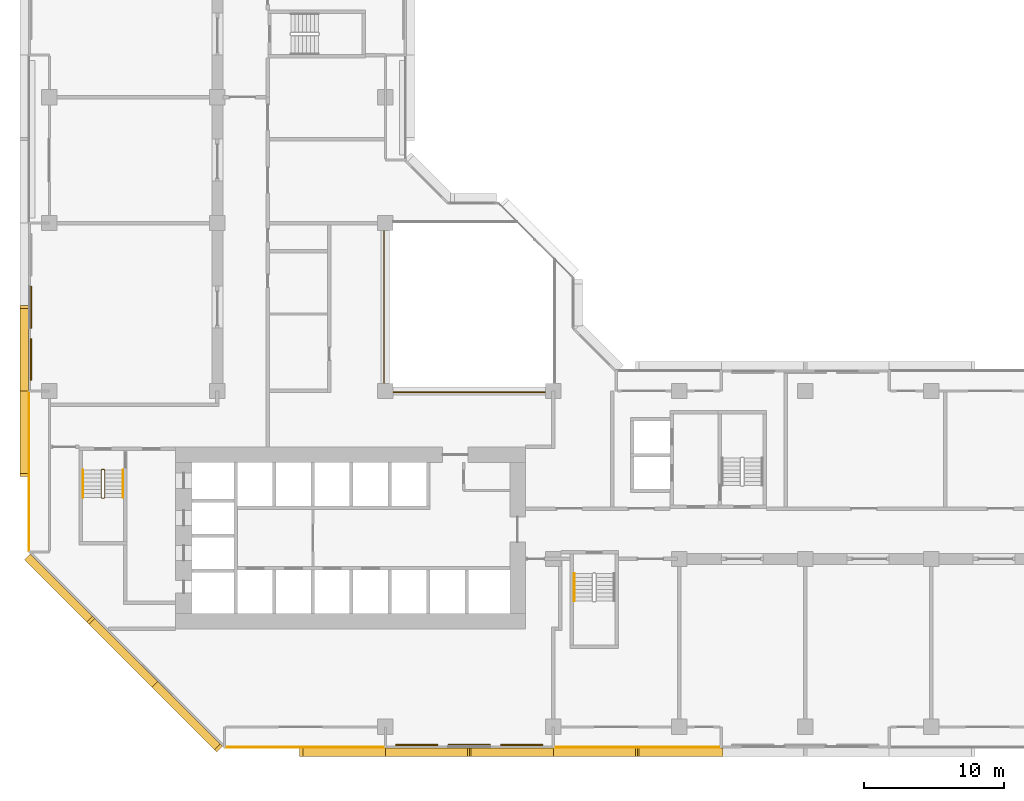
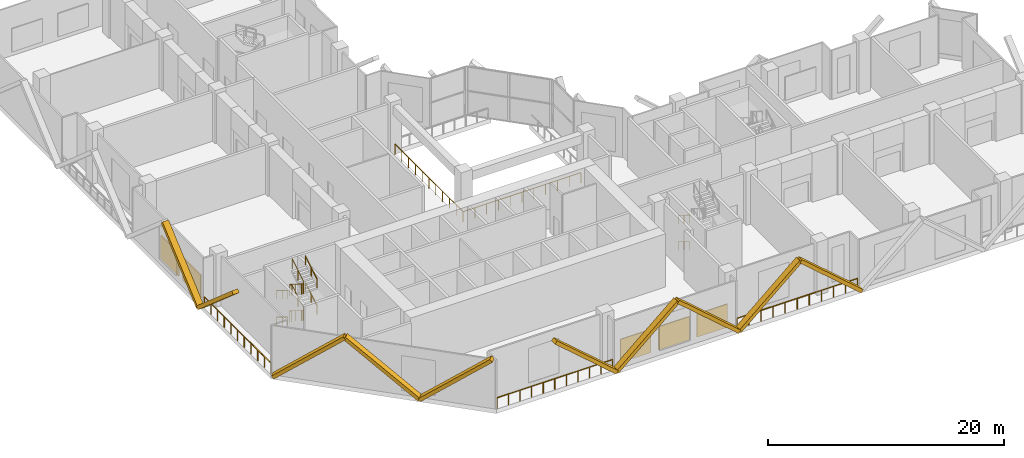
# One storey, part 12 of 14: 11 railings, 10 coverings, 5 shading devices.
"""IFC4 building model written with IfcOpenShell, lengths in metres."""

import ifcopenshell
import ifcopenshell.guid

model = None  # the IFC model being written
_history = None  # IfcOwnerHistory: only IFC2X3 demands one
_inside = {}  # id of a spatial element -> (the spatial element, [elements in it])
_under = {}  # id of a project, library or spatial element -> (it, [spatial elements below it])
_declared = {}  # id of a project -> (the project, [libraries it declares])
_typed = {}  # id of a type object -> (the type object, [elements of that type])
_made_of = {}  # id of a material, layer set ... -> (it, [elements and type objects made of it])


def new_model(schema):
    """Start an empty IFC model of exactly this schema.

    Asked for "IFC4X3", IfcOpenShell would pick the latest addendum, in which some entities
    have other attributes; the version numbers below select the first issue.
    IFC2X3 requires an IfcOwnerHistory on every rooted entity: one is made here for all.
    """
    global model, _history
    if schema == "IFC4X3":
        model = ifcopenshell.file(schema_version=(4, 3, 0, 0))
    else:
        model = ifcopenshell.file(schema=schema)
    _inside.clear()
    _under.clear()
    _declared.clear()
    _typed.clear()
    _made_of.clear()
    _history = None
    if model.schema == "IFC2X3":
        org = make("IfcOrganization", Name="unknown")
        user = make(
            "IfcPersonAndOrganization",
            ThePerson=make("IfcPerson", FamilyName="unknown"),
            TheOrganization=org,
        )
        app = make(
            "IfcApplication",
            ApplicationDeveloper=org,
            Version="unknown",
            ApplicationFullName="unknown",
            ApplicationIdentifier="unknown",
        )
        _history = make(
            "IfcOwnerHistory",
            OwningUser=user,
            OwningApplication=app,
            ChangeAction="ADDED",
            CreationDate=0,
        )
    return model


def make(cls, **values):
    """One entity of the class cls with the attributes given. An attribute that is None is left unset."""
    return model.create_entity(
        cls, **{name: value for name, value in values.items() if value is not None}
    )


def rooted(cls, **values):
    """An entity with a GlobalId (a new one), such as an element, a storey or a relation."""
    return make(cls, GlobalId=ifcopenshell.guid.new(), OwnerHistory=_history, **values)


def si_unit(unit_type, name, prefix=None):
    """IfcSIUnit, for example si_unit("LENGTHUNIT", "METRE", prefix="MILLI")."""
    return make("IfcSIUnit", UnitType=unit_type, Prefix=prefix, Name=name)


def assignment(units):
    """IfcUnitAssignment: the units of a project."""
    return None if units is None else make("IfcUnitAssignment", Units=units)


def point(xyz):
    """IfcCartesianPoint."""
    return None if xyz is None else make("IfcCartesianPoint", Coordinates=xyz)


def direction(xyz):
    """IfcDirection."""
    return None if xyz is None else make("IfcDirection", DirectionRatios=xyz)


def frame(location, z_axis=None, x_axis=None):
    """IfcAxis2Placement3D, a coordinate frame: its origin and axes. An axis left out is left unset."""
    return make(
        "IfcAxis2Placement3D",
        Location=point(location),
        Axis=direction(z_axis),
        RefDirection=direction(x_axis),
    )


def frame_2d(location, x_axis=None):
    """IfcAxis2Placement2D, a coordinate frame in the plane: its origin and x axis."""
    return make(
        "IfcAxis2Placement2D", Location=point(location), RefDirection=direction(x_axis)
    )


def origin():
    """The frame at (0, 0, 0) with its axes left unset."""
    return frame((0.0, 0.0, 0.0))


def origin_2d():
    """The frame at (0, 0) in the plane with its x axis left unset."""
    return frame_2d((0.0, 0.0))


def place(relative_to, where):
    """IfcLocalPlacement: puts the frame where relative to a parent placement (None: the world)."""
    return make(
        "IfcLocalPlacement", PlacementRelTo=relative_to, RelativePlacement=where
    )


def context(
    kind, dimensions, precision=None, world=None, true_north=None, identifier=None
):
    """IfcGeometricRepresentationContext, for example the 3D "Model" context."""
    return make(
        "IfcGeometricRepresentationContext",
        ContextIdentifier=identifier,
        ContextType=kind,
        CoordinateSpaceDimension=dimensions,
        Precision=precision,
        WorldCoordinateSystem=world,
        TrueNorth=true_north,
    )


def subcontext(parent, identifier, kind, view, scale=None):
    """IfcGeometricRepresentationSubContext, for example "Body" below "Model"."""
    return make(
        "IfcGeometricRepresentationSubContext",
        ContextIdentifier=identifier,
        ContextType=kind,
        ParentContext=parent,
        TargetScale=scale,
        TargetView=view,
    )


def project(units=None, contexts=None):
    """IfcProject with its units and contexts."""
    return rooted(
        "IfcProject",
        Name="project",
        RepresentationContexts=contexts,
        UnitsInContext=assignment(units),
    )


def spatial(cls, under=None, at=None, **own):
    """A site, building, storey or space (cls), placed at a placement, below another one or the project."""
    s = rooted(cls, ObjectPlacement=at, **own)
    if under is not None:
        _under.setdefault(under.id(), (under, []))[1].append(s)
    return s


def profile(cls, at=None, kind="AREA", **sizes):
    """A parametric profile (cls). Its sizes go by their IFC names, for example OverallWidth=200.0."""
    return make(cls, ProfileType=kind, Position=at, **sizes)


def rectangle(**sizes):
    """IfcRectangleProfileDef."""
    return profile("IfcRectangleProfileDef", **sizes)


def extrude(swept, where, along, depth):
    """IfcExtrudedAreaSolid: the profile swept, set in the frame where, extruded along a direction by depth."""
    return make(
        "IfcExtrudedAreaSolid",
        SweptArea=swept,
        Position=where,
        ExtrudedDirection=direction(along),
        Depth=depth,
    )


def shape(context_of_items, identifier, shape_type, items):
    """IfcShapeRepresentation: the items that make up one representation, for example the "Body"."""
    return make(
        "IfcShapeRepresentation",
        ContextOfItems=context_of_items,
        RepresentationIdentifier=identifier,
        RepresentationType=shape_type,
        Items=items,
    )


def material(Name=None, Category=None):
    """IfcMaterial."""
    return make("IfcMaterial", Name=Name, Category=Category)


def material_profile(
    of_material, cross_section, Name=None, Category=None, Priority=None
):
    """IfcMaterialProfile: a cross section and its material."""
    return make(
        "IfcMaterialProfile",
        Name=Name,
        Material=of_material,
        Profile=cross_section,
        Priority=Priority,
        Category=Category,
    )


def profile_set(profiles, Name=None, composite=None):
    """IfcMaterialProfileSet."""
    return make(
        "IfcMaterialProfileSet",
        Name=Name,
        MaterialProfiles=profiles,
        CompositeProfile=composite,
    )


def made_of(thing, what):
    """Note that an element or type object is made of a material, layer set ...; save() writes the relation."""
    if what is not None:
        _made_of.setdefault(what.id(), (what, []))[1].append(thing)
    return thing


def type_object(cls, material=None, **own):
    """A type object (cls), such as IfcWallType, which elements share."""
    return made_of(rooted(cls, **own), material)


def element(
    cls,
    number,
    at=None,
    inside=None,
    cuts=None,
    type_object=None,
    material=None,
    context=None,
    identifier="Body",
    shape_type=None,
    held_by="IfcProductDefinitionShape",
    body=None,
    shapes=None,
    **own,
):
    """One element of the class cls, such as IfcWall. Its Tag is "e" and its number.

    at: its placement. inside: the storey or other place that contains it. cuts: it is an
    opening in that element (IfcRelVoidsElement). A single representation is given by context,
    identifier, shape_type and body (its items); several are given by shapes. held_by: the class
    of the entity that holds the representations. save() writes the other relations.
    """
    e = rooted(cls, Tag="e%d" % number, ObjectPlacement=at, **own)
    if body is not None:
        shapes = [shape(context, identifier, shape_type, body)]
    if shapes is not None:
        e.Representation = make(held_by, Representations=shapes)
    if inside is not None:
        _inside.setdefault(inside.id(), (inside, []))[1].append(e)
    if cuts is not None:
        rooted(
            "IfcRelVoidsElement", RelatingBuildingElement=cuts, RelatedOpeningElement=e
        )
    if type_object is not None:
        _typed.setdefault(type_object.id(), (type_object, []))[1].append(e)
    return made_of(e, material)


def aggregate(whole, parts):
    """IfcRelAggregates: a whole, such as a stair, and the parts it consists of."""
    return rooted("IfcRelAggregates", RelatingObject=whole, RelatedObjects=parts)


def save(model, path):
    """Write the relations noted so far, then the file.

    IfcRelAggregates (storeys below a building ...), IfcRelContainedInSpatialStructure (elements
    in a storey), IfcRelDefinesByType, IfcRelAssociatesMaterial and IfcRelDeclares: one each for
    every whole, place, type object, material and project.
    """
    for whole, parts in _under.values():
        aggregate(whole, parts)
    for where, things in _inside.values():
        rooted(
            "IfcRelContainedInSpatialStructure",
            RelatedElements=things,
            RelatingStructure=where,
        )
    for kind, things in _typed.values():
        rooted("IfcRelDefinesByType", RelatedObjects=things, RelatingType=kind)
    for what, things in _made_of.values():
        rooted("IfcRelAssociatesMaterial", RelatedObjects=things, RelatingMaterial=what)
    for by, libraries in _declared.values():
        rooted("IfcRelDeclares", RelatingContext=by, RelatedDefinitions=libraries)
    model.write(path)


model = new_model("IFC4")

# Units and contexts
model_context = context("Model", 3, precision=1e-05, world=origin(), true_north=direction((0.0, 1.0)))
body_context = subcontext(model_context, "Body", "Model", "MODEL_VIEW")
ifc_project = project(units=[si_unit("LENGTHUNIT", "METRE"), si_unit("AREAUNIT", "SQUARE_METRE"), si_unit("VOLUMEUNIT", "CUBIC_METRE"), si_unit("PLANEANGLEUNIT", "RADIAN"), si_unit("MASSUNIT", "GRAM", prefix="KILO")], contexts=[model_context])

# Site, building, storey
site_placement = place(None, origin())
site = spatial("IfcSite", under=ifc_project, at=site_placement, CompositionType="ELEMENT")
building_placement = place(site_placement, origin())
building = spatial("IfcBuilding", under=site, at=building_placement, Name="Chenar Terraces", CompositionType="ELEMENT")
storey_placement = place(building_placement, frame((0.0, 0.0, 86.39990234375)))
storey = spatial("IfcBuildingStorey", under=building, at=storey_placement, Name="L19", CompositionType="ELEMENT", Elevation=86.39990234375)

# Railings
ifc_material_1 = material(Name="Powder-coated steel", Category="steel")
railing_type_1 = type_object("IfcRailingType", Name="Guard 1100 steel rail with glass infill", PredefinedType="GUARDRAIL", material=ifc_material_1)
railing_1_placement = place(storey_placement, frame((23.89990234375, 35.449951171875, 0.0)))
element("IfcRailing", 1, at=railing_1_placement, inside=storey, type_object=railing_type_1, Name="Guard L19-1", PredefinedType="GUARDRAIL", context=body_context, shape_type="SweptSolid", body=[
    extrude(rectangle(XDim=0.06005859375, YDim=0.06005859375, at=origin_2d()), frame((0.0, 0.0, 1.070068359375), z_axis=(0.0, -1.0, 0.0), x_axis=(1.0, 0.0, 0.0)), (0.0, 0.0, 1.0), 11.550048828125),
    extrude(rectangle(XDim=0.06005859375, YDim=0.06005859375, at=origin_2d()), frame((0.0, -11.550048828125, 1.070068359375), z_axis=(1.0, 0.0, 0.0), x_axis=(0.0, 1.0, 0.0)), (0.0, 0.0, 1.0), 11.550048828125),
    extrude(rectangle(XDim=0.050048828125, YDim=0.050048828125, at=origin_2d()), origin(), (0.0, 0.0, 1.0), 1.0400390625),
    extrude(rectangle(XDim=0.050048828125, YDim=0.050048828125, at=origin_2d()), frame((0.0, -1.155029296875, 0.0)), (0.0, 0.0, 1.0), 1.0400390625),
    extrude(rectangle(XDim=0.050048828125, YDim=0.050048828125, at=origin_2d()), frame((0.0, -2.31005859375, 0.0)), (0.0, 0.0, 1.0), 1.0400390625),
    extrude(rectangle(XDim=0.050048828125, YDim=0.050048828125, at=origin_2d()), frame((0.0, -3.465087890625, 0.0)), (0.0, 0.0, 1.0), 1.0400390625),
    extrude(rectangle(XDim=0.050048828125, YDim=0.050048828125, at=origin_2d()), frame((0.0, -4.6201171875, 0.0)), (0.0, 0.0, 1.0), 1.0400390625),
    extrude(rectangle(XDim=0.050048828125, YDim=0.050048828125, at=origin_2d()), frame((0.0, -5.77490234375, 0.0)), (0.0, 0.0, 1.0), 1.0400390625),
    extrude(rectangle(XDim=0.050048828125, YDim=0.050048828125, at=origin_2d()), frame((0.0, -6.929931640625, 0.0)), (0.0, 0.0, 1.0), 1.0400390625),
    extrude(rectangle(XDim=0.050048828125, YDim=0.050048828125, at=origin_2d()), frame((0.0, -8.0849609375, 0.0)), (0.0, 0.0, 1.0), 1.0400390625),
    extrude(rectangle(XDim=0.050048828125, YDim=0.050048828125, at=origin_2d()), frame((0.0, -9.239990234375, 0.0)), (0.0, 0.0, 1.0), 1.0400390625),
    extrude(rectangle(XDim=0.050048828125, YDim=0.050048828125, at=origin_2d()), frame((0.0, -10.39501953125, 0.0)), (0.0, 0.0, 1.0), 1.0400390625),
    extrude(rectangle(XDim=0.050048828125, YDim=0.050048828125, at=origin_2d()), frame((0.0, -11.550048828125, 0.0)), (0.0, 0.0, 1.0), 1.0400390625),
    extrude(rectangle(XDim=0.050048828125, YDim=0.050048828125, at=origin_2d()), frame((1.155029296875, -11.550048828125, 0.0)), (0.0, 0.0, 1.0), 1.0400390625),
    extrude(rectangle(XDim=0.050048828125, YDim=0.050048828125, at=origin_2d()), frame((2.31005859375, -11.550048828125, 0.0)), (0.0, 0.0, 1.0), 1.0400390625),
    extrude(rectangle(XDim=0.050048828125, YDim=0.050048828125, at=origin_2d()), frame((3.465087890625, -11.550048828125, 0.0)), (0.0, 0.0, 1.0), 1.0400390625),
    extrude(rectangle(XDim=0.050048828125, YDim=0.050048828125, at=origin_2d()), frame((4.6201171875, -11.550048828125, 0.0)), (0.0, 0.0, 1.0), 1.0400390625),
    extrude(rectangle(XDim=0.050048828125, YDim=0.050048828125, at=origin_2d()), frame((5.77490234375, -11.550048828125, 0.0)), (0.0, 0.0, 1.0), 1.0400390625),
    extrude(rectangle(XDim=0.050048828125, YDim=0.050048828125, at=origin_2d()), frame((6.929931640625, -11.550048828125, 0.0)), (0.0, 0.0, 1.0), 1.0400390625),
    extrude(rectangle(XDim=0.050048828125, YDim=0.050048828125, at=origin_2d()), frame((8.0849609375, -11.550048828125, 0.0)), (0.0, 0.0, 1.0), 1.0400390625),
    extrude(rectangle(XDim=0.050048828125, YDim=0.050048828125, at=origin_2d()), frame((9.239990234375, -11.550048828125, 0.0)), (0.0, 0.0, 1.0), 1.0400390625),
    extrude(rectangle(XDim=0.050048828125, YDim=0.050048828125, at=origin_2d()), frame((10.39501953125, -11.550048828125, 0.0)), (0.0, 0.0, 1.0), 1.0400390625),
    extrude(rectangle(XDim=0.050048828125, YDim=0.050048828125, at=origin_2d()), frame((11.550048828125, -11.550048828125, 0.0)), (0.0, 0.0, 1.0), 1.0400390625),
])
ifc_material_2 = material(Name="Stainless steel and glass", Category="steel")
railing_type_2 = type_object("IfcRailingType", Name="Loggia guard 1150", PredefinedType="GUARDRAIL", material=ifc_material_2)
railing_2_placement = place(storey_placement, frame((12.574951171875, -1.449951171875, 0.0)))
element("IfcRailing", 2, at=railing_2_placement, inside=storey, type_object=railing_type_2, Name="Loggia guard", PredefinedType="GUARDRAIL", context=body_context, shape_type="SweptSolid", body=[
    extrude(rectangle(XDim=0.048095703125, YDim=0.048095703125, at=origin_2d()), frame((0.0, 0.0, 1.1259765625), z_axis=(1.0, 0.0, 0.0), x_axis=(0.0, 1.0, 0.0)), (0.0, 0.0, 1.0), 11.35009765625),
    extrude(rectangle(XDim=0.0419921875, YDim=0.0419921875, at=origin_2d()), origin(), (0.0, 0.0, 1.0), 1.101806640625),
    extrude(rectangle(XDim=0.0419921875, YDim=0.0419921875, at=origin_2d()), frame((1.135009765625, 0.0, 0.0)), (0.0, 0.0, 1.0), 1.101806640625),
    extrude(rectangle(XDim=0.0419921875, YDim=0.0419921875, at=origin_2d()), frame((2.27001953125, 0.0, 0.0)), (0.0, 0.0, 1.0), 1.101806640625),
    extrude(rectangle(XDim=0.0419921875, YDim=0.0419921875, at=origin_2d()), frame((3.405029296875, 0.0, 0.0)), (0.0, 0.0, 1.0), 1.101806640625),
    extrude(rectangle(XDim=0.0419921875, YDim=0.0419921875, at=origin_2d()), frame((4.5400390625, 0.0, 0.0)), (0.0, 0.0, 1.0), 1.101806640625),
    extrude(rectangle(XDim=0.0419921875, YDim=0.0419921875, at=origin_2d()), frame((5.675048828125, 0.0, 0.0)), (0.0, 0.0, 1.0), 1.101806640625),
    extrude(rectangle(XDim=0.0419921875, YDim=0.0419921875, at=origin_2d()), frame((6.81005859375, 0.0, 0.0)), (0.0, 0.0, 1.0), 1.101806640625),
    extrude(rectangle(XDim=0.0419921875, YDim=0.0419921875, at=origin_2d()), frame((7.945068359375, 0.0, 0.0)), (0.0, 0.0, 1.0), 1.101806640625),
    extrude(rectangle(XDim=0.0419921875, YDim=0.0419921875, at=origin_2d()), frame((9.080078125, 0.0, 0.0)), (0.0, 0.0, 1.0), 1.101806640625),
    extrude(rectangle(XDim=0.0419921875, YDim=0.0419921875, at=origin_2d()), frame((10.215087890625, 0.0, 0.0)), (0.0, 0.0, 1.0), 1.101806640625),
    extrude(rectangle(XDim=0.0419921875, YDim=0.0419921875, at=origin_2d()), frame((11.35009765625, 0.0, 0.0)), (0.0, 0.0, 1.0), 1.101806640625),
])
railing_3_placement = place(storey_placement, frame((36.074951171875, -1.449951171875, 0.0)))
element("IfcRailing", 3, at=railing_3_placement, inside=storey, type_object=railing_type_2, Name="Loggia guard", PredefinedType="GUARDRAIL", context=body_context, shape_type="SweptSolid", body=[
    extrude(rectangle(XDim=0.048095703125, YDim=0.048095703125, at=origin_2d()), frame((0.0, 0.0, 1.1259765625), z_axis=(1.0, 0.0, 0.0), x_axis=(0.0, 1.0, 0.0)), (0.0, 0.0, 1.0), 11.85009765625),
    extrude(rectangle(XDim=0.0419921875, YDim=0.0419921875, at=origin_2d()), origin(), (0.0, 0.0, 1.0), 1.101806640625),
    extrude(rectangle(XDim=0.0419921875, YDim=0.0419921875, at=origin_2d()), frame((1.18505859375, 0.0, 0.0)), (0.0, 0.0, 1.0), 1.101806640625),
    extrude(rectangle(XDim=0.0419921875, YDim=0.0419921875, at=origin_2d()), frame((2.3701171875, 0.0, 0.0)), (0.0, 0.0, 1.0), 1.101806640625),
    extrude(rectangle(XDim=0.0419921875, YDim=0.0419921875, at=origin_2d()), frame((3.554931640625, 0.0, 0.0)), (0.0, 0.0, 1.0), 1.101806640625),
    extrude(rectangle(XDim=0.0419921875, YDim=0.0419921875, at=origin_2d()), frame((4.739990234375, 0.0, 0.0)), (0.0, 0.0, 1.0), 1.101806640625),
    extrude(rectangle(XDim=0.0419921875, YDim=0.0419921875, at=origin_2d()), frame((5.925048828125, 0.0, 0.0)), (0.0, 0.0, 1.0), 1.101806640625),
    extrude(rectangle(XDim=0.0419921875, YDim=0.0419921875, at=origin_2d()), frame((7.110107421875, 0.0, 0.0)), (0.0, 0.0, 1.0), 1.101806640625),
    extrude(rectangle(XDim=0.0419921875, YDim=0.0419921875, at=origin_2d()), frame((8.295166015625, 0.0, 0.0)), (0.0, 0.0, 1.0), 1.101806640625),
    extrude(rectangle(XDim=0.0419921875, YDim=0.0419921875, at=origin_2d()), frame((9.47998046875, 0.0, 0.0)), (0.0, 0.0, 1.0), 1.101806640625),
    extrude(rectangle(XDim=0.0419921875, YDim=0.0419921875, at=origin_2d()), frame((10.6650390625, 0.0, 0.0)), (0.0, 0.0, 1.0), 1.101806640625),
    extrude(rectangle(XDim=0.0419921875, YDim=0.0419921875, at=origin_2d()), frame((11.85009765625, 0.0, 0.0)), (0.0, 0.0, 1.0), 1.101806640625),
])
railing_4_placement = place(storey_placement, frame((-1.449951171875, 23.925048828125, 0.0)))
element("IfcRailing", 4, at=railing_4_placement, inside=storey, type_object=railing_type_2, Name="Loggia guard", PredefinedType="GUARDRAIL", context=body_context, shape_type="SweptSolid", body=[
    extrude(rectangle(XDim=0.048095703125, YDim=0.048095703125, at=origin_2d()), frame((0.0, 0.0, 1.1259765625), z_axis=(0.0, -1.0, 0.0), x_axis=(1.0, 0.0, 0.0)), (0.0, 0.0, 1.0), 11.35009765625),
    extrude(rectangle(XDim=0.0419921875, YDim=0.0419921875, at=origin_2d()), origin(), (0.0, 0.0, 1.0), 1.101806640625),
    extrude(rectangle(XDim=0.0419921875, YDim=0.0419921875, at=origin_2d()), frame((0.0, -1.135009765625, 0.0)), (0.0, 0.0, 1.0), 1.101806640625),
    extrude(rectangle(XDim=0.0419921875, YDim=0.0419921875, at=origin_2d()), frame((0.0, -2.27001953125, 0.0)), (0.0, 0.0, 1.0), 1.101806640625),
    extrude(rectangle(XDim=0.0419921875, YDim=0.0419921875, at=origin_2d()), frame((0.0, -3.405029296875, 0.0)), (0.0, 0.0, 1.0), 1.101806640625),
    extrude(rectangle(XDim=0.0419921875, YDim=0.0419921875, at=origin_2d()), frame((0.0, -4.5400390625, 0.0)), (0.0, 0.0, 1.0), 1.101806640625),
    extrude(rectangle(XDim=0.0419921875, YDim=0.0419921875, at=origin_2d()), frame((0.0, -5.675048828125, 0.0)), (0.0, 0.0, 1.0), 1.101806640625),
    extrude(rectangle(XDim=0.0419921875, YDim=0.0419921875, at=origin_2d()), frame((0.0, -6.81005859375, 0.0)), (0.0, 0.0, 1.0), 1.101806640625),
    extrude(rectangle(XDim=0.0419921875, YDim=0.0419921875, at=origin_2d()), frame((0.0, -7.945068359375, 0.0)), (0.0, 0.0, 1.0), 1.101806640625),
    extrude(rectangle(XDim=0.0419921875, YDim=0.0419921875, at=origin_2d()), frame((0.0, -9.080078125, 0.0)), (0.0, 0.0, 1.0), 1.101806640625),
    extrude(rectangle(XDim=0.0419921875, YDim=0.0419921875, at=origin_2d()), frame((0.0, -10.215087890625, 0.0)), (0.0, 0.0, 1.0), 1.101806640625),
    extrude(rectangle(XDim=0.0419921875, YDim=0.0419921875, at=origin_2d()), frame((0.0, -11.35009765625, 0.0)), (0.0, 0.0, 1.0), 1.101806640625),
])

# Shading devices
ifc_material_3 = material(Name="Powder-coated steel", Category="steel")
shading_device_type = type_object("IfcShadingDeviceType", Name="Sand-proof louvre bank 3000 x 2400", PredefinedType="USERDEFINED", material=ifc_material_3)
for number, where, z_axis, x_axis, name in (
    (5, (26.25, -1.300048828125, 0.4501953125), (0.0, 0.0, 1.0), (1.0, 0.0, 0.0), "Sand-proof louvre bank"),
    (6, (30.0, -1.300048828125, 0.4501953125), (0.0, 0.0, 1.0), (1.0, 0.0, 0.0), "Sand-proof louvre bank"),
    (7, (33.75, -1.300048828125, 0.4501953125), (0.0, 0.0, 1.0), (1.0, 0.0, 0.0), "Sand-proof louvre bank"),
    (8, (-1.300048828125, 30.0, 0.4501953125), (0.0, 0.0, 1.0), (0.0, -1.0, 0.0), "Sand-proof louvre bank"),
    (9, (-1.300048828125, 26.25, 0.4501953125), (0.0, 0.0, 1.0), (0.0, -1.0, 0.0), "Sand-proof louvre bank"),
):
    element("IfcShadingDevice", number, at=place(storey_placement, frame(where, z_axis=z_axis, x_axis=x_axis)), inside=storey, type_object=shading_device_type, Name=name, ObjectType="LOUVRE", PredefinedType="USERDEFINED", context=body_context, shape_type="SweptSolid", body=[
        extrude(rectangle(XDim=3.0, YDim=0.10009765625, at=origin_2d()), origin(), (0.0, 0.0, 1.0), 2.39990234375),
    ])

# Railings
ifc_material_4 = material(Name="Powder-coated steel", Category="steel")
railing_type_3 = type_object("IfcRailingType", Name="Stair guard 1100", PredefinedType="GUARDRAIL", material=ifc_material_4)
railing_5_placement = place(storey_placement, frame((3.949951171875, 18.35009765625, 5.5)))
element("IfcRailing", 10, at=railing_5_placement, inside=storey, type_object=railing_type_3, Name="L19 ST1 stair guard 1", PredefinedType="GUARDRAIL", context=body_context, shape_type="SweptSolid", body=[
    extrude(rectangle(XDim=0.048095703125, YDim=0.048095703125, at=origin_2d()), frame((0.0, 0.0, 1.076171875), z_axis=(0.0, -0.852270028233, -0.523102092307), x_axis=(1.0, 0.0, 0.0)), (0.0, 0.0, 1.0), 2.300048828125),
    extrude(rectangle(XDim=0.048095703125, YDim=0.048095703125, at=origin_2d()), frame((0.0, -1.960205078125, -0.126953125), z_axis=(-0.26935076646, -0.268036860282, -0.924989949209), x_axis=(0.705375805398, -0.708833529934, 0.0)), (0.0, 0.0, 1.0), 0.185791015625),
    extrude(rectangle(XDim=0.048095703125, YDim=0.048095703125, at=origin_2d()), frame((-0.050048828125, -2.010009765625, -0.298828125), z_axis=(-1.0, 0.0, 0.0), x_axis=(0.0, -1.0, 0.0)), (0.0, 0.0, 1.0), 0.14990234375),
    extrude(rectangle(XDim=0.048095703125, YDim=0.048095703125, at=origin_2d()), frame((-0.199951171875, -2.010009765625, -0.298828125), z_axis=(-0.708833529934, 0.705375805398, 0.0), x_axis=(-0.705375805398, -0.708833529934, 0.0)), (0.0, 0.0, 1.0), 0.070556640625),
    extrude(rectangle(XDim=0.048095703125, YDim=0.048095703125, at=origin_2d()), frame((-0.25, -1.960205078125, -0.298828125), z_axis=(0.0, 0.852270028233, -0.523102092307), x_axis=(-1.0, 0.0, 0.0)), (0.0, 0.0, 1.0), 2.300048828125),
    extrude(rectangle(XDim=0.048095703125, YDim=0.048095703125, at=origin_2d()), frame((-0.25, 0.0, -1.501953125), z_axis=(0.745163704225, 0.185608541712, -0.640531438064), x_axis=(-0.241699205484, 0.970351222016, 0.0)), (0.0, 0.0, 1.0), 0.268310546875),
    extrude(rectangle(XDim=0.048095703125, YDim=0.048095703125, at=origin_2d()), frame((-0.050048828125, 0.0498046875, -1.673828125), z_axis=(-1.0, 0.0, 0.0), x_axis=(0.0, -1.0, 0.0)), (0.0, 0.0, 1.0), 0.14990234375),
    extrude(rectangle(XDim=0.048095703125, YDim=0.048095703125, at=origin_2d()), frame((-0.199951171875, 0.0498046875, -1.673828125), z_axis=(0.970351222016, -0.241699205484, 0.0), x_axis=(0.241699205484, 0.970351222016, 0.0)), (0.0, 0.0, 1.0), 0.2060546875),
    extrude(rectangle(XDim=0.048095703125, YDim=0.048095703125, at=origin_2d()), frame((0.0, 0.0, -1.673828125), z_axis=(0.0, -0.852270028233, -0.523102092307), x_axis=(1.0, 0.0, 0.0)), (0.0, 0.0, 1.0), 2.300048828125),
    extrude(rectangle(XDim=0.048095703125, YDim=0.048095703125, at=origin_2d()), frame((0.0, -1.960205078125, -2.876953125), z_axis=(-0.26935076646, -0.268036860282, -0.924989949209), x_axis=(0.705375805398, -0.708833529934, 0.0)), (0.0, 0.0, 1.0), 0.185791015625),
    extrude(rectangle(XDim=0.048095703125, YDim=0.048095703125, at=origin_2d()), frame((-0.050048828125, -2.010009765625, -3.048828125), z_axis=(-1.0, 0.0, 0.0), x_axis=(0.0, -1.0, 0.0)), (0.0, 0.0, 1.0), 0.14990234375),
    extrude(rectangle(XDim=0.048095703125, YDim=0.048095703125, at=origin_2d()), frame((-0.199951171875, -2.010009765625, -3.048828125), z_axis=(-0.708833529934, 0.705375805398, 0.0), x_axis=(-0.705375805398, -0.708833529934, 0.0)), (0.0, 0.0, 1.0), 0.070556640625),
    extrude(rectangle(XDim=0.048095703125, YDim=0.048095703125, at=origin_2d()), frame((-0.25, -1.960205078125, -3.048828125), z_axis=(0.0, 0.852270028233, -0.523102092307), x_axis=(-1.0, 0.0, 0.0)), (0.0, 0.0, 1.0), 2.300048828125),
    extrude(rectangle(XDim=0.048095703125, YDim=0.048095703125, at=origin_2d()), frame((-0.25, 0.0, -4.251953125), z_axis=(0.26935076646, 0.268036860282, -0.924989949209), x_axis=(-0.705375805398, 0.708833529934, 0.0)), (0.0, 0.0, 1.0), 0.185791015625),
    extrude(rectangle(XDim=0.048095703125, YDim=0.048095703125, at=origin_2d()), frame((-0.199951171875, 0.0498046875, -4.423828125), z_axis=(1.0, 0.0, 0.0), x_axis=(0.0, 1.0, 0.0)), (0.0, 0.0, 1.0), 0.14990234375),
    extrude(rectangle(XDim=0.0419921875, YDim=0.0419921875, at=origin_2d()), origin(), (0.0, 0.0, 1.0), 1.052001953125),
    extrude(rectangle(XDim=0.0419921875, YDim=0.0419921875, at=origin_2d()), frame((0.0, -0.97998046875, -0.6015625)), (0.0, 0.0, 1.0), 1.052001953125),
    extrude(rectangle(XDim=0.0419921875, YDim=0.0419921875, at=origin_2d()), frame((0.0, -1.960205078125, -1.203125)), (0.0, 0.0, 1.0), 1.052001953125),
    extrude(rectangle(XDim=0.0419921875, YDim=0.0419921875, at=origin_2d()), frame((-0.050048828125, -2.010009765625, -1.375)), (0.0, 0.0, 1.0), 1.052001953125),
    extrude(rectangle(XDim=0.0419921875, YDim=0.0419921875, at=origin_2d()), frame((-0.199951171875, -2.010009765625, -1.375)), (0.0, 0.0, 1.0), 1.052001953125),
    extrude(rectangle(XDim=0.0419921875, YDim=0.0419921875, at=origin_2d()), frame((-0.25, -1.960205078125, -1.375)), (0.0, 0.0, 1.0), 1.052001953125),
    extrude(rectangle(XDim=0.0419921875, YDim=0.0419921875, at=origin_2d()), frame((-0.25, -0.97998046875, -1.9765625)), (0.0, 0.0, 1.0), 1.052001953125),
    extrude(rectangle(XDim=0.0419921875, YDim=0.0419921875, at=origin_2d()), frame((-0.25, 0.0, -2.578125)), (0.0, 0.0, 1.0), 1.052001953125),
    extrude(rectangle(XDim=0.0419921875, YDim=0.0419921875, at=origin_2d()), frame((-0.050048828125, 0.0498046875, -2.75)), (0.0, 0.0, 1.0), 1.052001953125),
    extrude(rectangle(XDim=0.0419921875, YDim=0.0419921875, at=origin_2d()), frame((-0.199951171875, 0.0498046875, -2.75)), (0.0, 0.0, 1.0), 1.052001953125),
    extrude(rectangle(XDim=0.0419921875, YDim=0.0419921875, at=origin_2d()), frame((0.0, 0.0, -2.75)), (0.0, 0.0, 1.0), 1.052001953125),
    extrude(rectangle(XDim=0.0419921875, YDim=0.0419921875, at=origin_2d()), frame((0.0, -0.97998046875, -3.3515625)), (0.0, 0.0, 1.0), 1.052001953125),
    extrude(rectangle(XDim=0.0419921875, YDim=0.0419921875, at=origin_2d()), frame((0.0, -1.960205078125, -3.953125)), (0.0, 0.0, 1.0), 1.052001953125),
    extrude(rectangle(XDim=0.0419921875, YDim=0.0419921875, at=origin_2d()), frame((-0.050048828125, -2.010009765625, -4.125)), (0.0, 0.0, 1.0), 1.052001953125),
    extrude(rectangle(XDim=0.0419921875, YDim=0.0419921875, at=origin_2d()), frame((-0.199951171875, -2.010009765625, -4.125)), (0.0, 0.0, 1.0), 1.052001953125),
    extrude(rectangle(XDim=0.0419921875, YDim=0.0419921875, at=origin_2d()), frame((-0.25, -1.960205078125, -4.125)), (0.0, 0.0, 1.0), 1.052001953125),
    extrude(rectangle(XDim=0.0419921875, YDim=0.0419921875, at=origin_2d()), frame((-0.25, -0.97998046875, -4.7265625)), (0.0, 0.0, 1.0), 1.052001953125),
    extrude(rectangle(XDim=0.0419921875, YDim=0.0419921875, at=origin_2d()), frame((-0.25, 0.0, -5.328125)), (0.0, 0.0, 1.0), 1.052001953125),
    extrude(rectangle(XDim=0.0419921875, YDim=0.0419921875, at=origin_2d()), frame((-0.199951171875, 0.0498046875, -5.5)), (0.0, 0.0, 1.0), 1.052001953125),
    extrude(rectangle(XDim=0.0419921875, YDim=0.0419921875, at=origin_2d()), frame((-0.050048828125, 0.0498046875, -5.5)), (0.0, 0.0, 1.0), 1.052001953125),
])
ifc_material_5 = material(Name="Powder-coated steel", Category="steel")
railing_type_4 = type_object("IfcRailingType", Name="Stair handrail 900", PredefinedType="HANDRAIL", material=ifc_material_5)
railing_6_placement = place(storey_placement, frame((2.39990234375, 18.35009765625, 0.171875)))
element("IfcRailing", 11, at=railing_6_placement, inside=storey, type_object=railing_type_4, Name="L19 ST1 stair handrail 1", PredefinedType="HANDRAIL", context=body_context, shape_type="SweptSolid", body=[
    extrude(rectangle(XDim=0.048095703125, YDim=0.048095703125, at=origin_2d()), frame((0.0, 0.0, 0.8759765625), z_axis=(0.0, -0.852270028233, 0.523102092307), x_axis=(1.0, 0.0, 0.0)), (0.0, 0.0, 1.0), 2.300048828125),
    extrude(rectangle(XDim=0.0419921875, YDim=0.0419921875, at=origin_2d()), origin(), (0.0, 0.0, 1.0), 0.851806640625),
    extrude(rectangle(XDim=0.0419921875, YDim=0.0419921875, at=origin_2d()), frame((0.0, -0.97998046875, 0.6015625)), (0.0, 0.0, 1.0), 0.851806640625),
    extrude(rectangle(XDim=0.0419921875, YDim=0.0419921875, at=origin_2d()), frame((0.0, -1.960205078125, 1.203125)), (0.0, 0.0, 1.0), 0.851806640625),
])
railing_7_placement = place(storey_placement, frame((5.25, 16.389892578125, 1.546875)))
element("IfcRailing", 12, at=railing_7_placement, inside=storey, type_object=railing_type_4, Name="L19 ST1 stair handrail 2", PredefinedType="HANDRAIL", context=body_context, shape_type="SweptSolid", body=[
    extrude(rectangle(XDim=0.048095703125, YDim=0.048095703125, at=origin_2d()), frame((0.0, 0.0, 0.8759765625), z_axis=(0.0, 0.852270028233, 0.523102092307), x_axis=(-1.0, 0.0, 0.0)), (0.0, 0.0, 1.0), 2.300048828125),
    extrude(rectangle(XDim=0.0419921875, YDim=0.0419921875, at=origin_2d()), origin(), (0.0, 0.0, 1.0), 0.851806640625),
    extrude(rectangle(XDim=0.0419921875, YDim=0.0419921875, at=origin_2d()), frame((0.0, 0.97998046875, 0.6015625)), (0.0, 0.0, 1.0), 0.851806640625),
    extrude(rectangle(XDim=0.0419921875, YDim=0.0419921875, at=origin_2d()), frame((0.0, 1.960205078125, 1.203125)), (0.0, 0.0, 1.0), 0.851806640625),
])
railing_8_placement = place(storey_placement, frame((2.39990234375, 18.35009765625, 2.921875)))
element("IfcRailing", 13, at=railing_8_placement, inside=storey, type_object=railing_type_4, Name="L19 ST1 stair handrail 3", PredefinedType="HANDRAIL", context=body_context, shape_type="SweptSolid", body=[
    extrude(rectangle(XDim=0.048095703125, YDim=0.048095703125, at=origin_2d()), frame((0.0, 0.0, 0.8759765625), z_axis=(0.0, -0.852270028233, 0.523102092307), x_axis=(1.0, 0.0, 0.0)), (0.0, 0.0, 1.0), 2.300048828125),
    extrude(rectangle(XDim=0.0419921875, YDim=0.0419921875, at=origin_2d()), origin(), (0.0, 0.0, 1.0), 0.851806640625),
    extrude(rectangle(XDim=0.0419921875, YDim=0.0419921875, at=origin_2d()), frame((0.0, -0.97998046875, 0.6015625)), (0.0, 0.0, 1.0), 0.851806640625),
    extrude(rectangle(XDim=0.0419921875, YDim=0.0419921875, at=origin_2d()), frame((0.0, -1.960205078125, 1.203125)), (0.0, 0.0, 1.0), 0.851806640625),
])
railing_9_placement = place(storey_placement, frame((5.25, 16.389892578125, 4.296875)))
element("IfcRailing", 14, at=railing_9_placement, inside=storey, type_object=railing_type_4, Name="L19 ST1 stair handrail 4", PredefinedType="HANDRAIL", context=body_context, shape_type="SweptSolid", body=[
    extrude(rectangle(XDim=0.048095703125, YDim=0.048095703125, at=origin_2d()), frame((0.0, 0.0, 0.8759765625), z_axis=(0.0, 0.852270028233, 0.523102092307), x_axis=(-1.0, 0.0, 0.0)), (0.0, 0.0, 1.0), 2.300048828125),
    extrude(rectangle(XDim=0.0419921875, YDim=0.0419921875, at=origin_2d()), origin(), (0.0, 0.0, 1.0), 0.851806640625),
    extrude(rectangle(XDim=0.0419921875, YDim=0.0419921875, at=origin_2d()), frame((0.0, 0.97998046875, 0.6015625)), (0.0, 0.0, 1.0), 0.851806640625),
    extrude(rectangle(XDim=0.0419921875, YDim=0.0419921875, at=origin_2d()), frame((0.0, 1.960205078125, 1.203125)), (0.0, 0.0, 1.0), 0.851806640625),
])
for number, where, name in (
    (15, (37.5, 10.949951171875, 0.171875), "L19 ST2 stair handrail 1"),
    (16, (37.5, 10.949951171875, 2.921875), "L19 ST2 stair handrail 3"),
):
    element("IfcRailing", number, at=place(storey_placement, frame(where)), inside=storey, type_object=railing_type_4, Name=name, PredefinedType="HANDRAIL", context=body_context, shape_type="SweptSolid", body=[
        extrude(rectangle(XDim=0.048095703125, YDim=0.048095703125, at=origin_2d()), frame((0.0, 0.0, 0.8759765625), z_axis=(0.0, -0.852240978134, 0.523149419562), x_axis=(1.0, 0.0, 0.0)), (0.0, 0.0, 1.0), 2.2998046875),
        extrude(rectangle(XDim=0.0419921875, YDim=0.0419921875, at=origin_2d()), origin(), (0.0, 0.0, 1.0), 0.851806640625),
        extrude(rectangle(XDim=0.0419921875, YDim=0.0419921875, at=origin_2d()), frame((0.0, -0.97998046875, 0.6015625)), (0.0, 0.0, 1.0), 0.851806640625),
        extrude(rectangle(XDim=0.0419921875, YDim=0.0419921875, at=origin_2d()), frame((0.0, -1.9599609375, 1.203125)), (0.0, 0.0, 1.0), 0.851806640625),
    ])

# Coverings
ifc_material_6 = material(Name="Terracotta", Category="masonry")
ifc_material_profile = material_profile(ifc_material_6, rectangle(XDim=0.60009765625, YDim=0.35009765625, at=origin_2d()), Name="Terracotta baguette 600 x 350")
ifc_profile_set = profile_set([ifc_material_profile], Name="Terracotta")
covering_type = type_object("IfcCoveringType", Name="Terracotta baguette 600 x 350", PredefinedType="CLADDING", material=ifc_profile_set)
for number, where, z_axis, x_axis, name in (
    (17, (-1.800048828125, 30.0, 5.35009765625), (0.0, -0.755692126483, -0.654927026447), (1.0, 0.0, 0.0), "Terracotta baguette"),
    (18, (-1.800048828125, 24.0, 0.150146484375), (0.0, -0.755692126483, 0.654927026447), (1.0, 0.0, 0.0), "Terracotta baguette"),
):
    element("IfcCovering", number, at=place(storey_placement, frame(where, z_axis=z_axis, x_axis=x_axis)), inside=storey, type_object=covering_type, Name=name, PredefinedType="CLADDING", context=body_context, shape_type="SweptSolid", body=[
        extrude(rectangle(XDim=0.60009765625, YDim=0.35009765625, at=origin_2d()), origin(), (0.0, 0.0, 1.0), 7.939697265625),
    ])
covering_1_placement = place(storey_placement, frame((-1.5, 12.07568359375, 0.150146484375), z_axis=(0.545330033879, -0.545330033879, 0.63657702464), x_axis=(0.707106781187, 0.707106781187, 0.0)))
element("IfcCovering", 19, at=covering_1_placement, inside=storey, type_object=covering_type, Name="Terracotta baguette", PredefinedType="CLADDING", context=body_context, shape_type="SweptSolid", body=[
    extrude(rectangle(XDim=0.60009765625, YDim=0.35009765625, at=origin_2d()), origin(), (0.0, 0.0, 1.0), 8.168701171875),
])
covering_2_placement = place(storey_placement, frame((2.95458984375, 7.62109375, 5.35009765625), z_axis=(0.555410212443, -0.555410212443, -0.618901439511), x_axis=(0.707106781187, 0.707106781187, 0.0)))
element("IfcCovering", 20, at=covering_2_placement, inside=storey, type_object=covering_type, Name="Terracotta baguette", PredefinedType="CLADDING", context=body_context, shape_type="SweptSolid", body=[
    extrude(rectangle(XDim=0.60009765625, YDim=0.35009765625, at=origin_2d()), origin(), (0.0, 0.0, 1.0), 8.40185546875),
])
covering_3_placement = place(storey_placement, frame((7.62109375, 2.95458984375, 0.150146484375), z_axis=(0.545330033879, -0.545330033879, 0.63657702464), x_axis=(0.707106781187, 0.707106781187, 0.0)))
element("IfcCovering", 21, at=covering_3_placement, inside=storey, type_object=covering_type, Name="Terracotta baguette", PredefinedType="CLADDING", context=body_context, shape_type="SweptSolid", body=[
    extrude(rectangle(XDim=0.60009765625, YDim=0.35009765625, at=origin_2d()), origin(), (0.0, 0.0, 1.0), 8.168701171875),
])
for number, where, z_axis, x_axis, name in (
    (22, (18.0, -1.800048828125, 5.35009765625), (0.755692126483, 0.0, -0.654927026447), (0.0, 1.0, 0.0), "Terracotta baguette"),
    (23, (24.0, -1.800048828125, 0.150146484375), (0.755692126483, 0.0, 0.654927026447), (0.0, 1.0, 0.0), "Terracotta baguette"),
    (24, (30.0, -1.800048828125, 5.35009765625), (0.755692126483, 0.0, -0.654927026447), (0.0, 1.0, 0.0), "Terracotta baguette"),
    (25, (36.0, -1.800048828125, 0.150146484375), (0.755692126483, 0.0, 0.654927026447), (0.0, 1.0, 0.0), "Terracotta baguette"),
    (26, (42.0, -1.800048828125, 5.35009765625), (0.755692126483, 0.0, -0.654927026447), (0.0, 1.0, 0.0), "Terracotta baguette"),
):
    element("IfcCovering", number, at=place(storey_placement, frame(where, z_axis=z_axis, x_axis=x_axis)), inside=storey, type_object=covering_type, Name=name, PredefinedType="CLADDING", context=body_context, shape_type="SweptSolid", body=[
        extrude(rectangle(XDim=0.60009765625, YDim=0.35009765625, at=origin_2d()), origin(), (0.0, 0.0, 1.0), 7.939697265625),
    ])

save(model, "model.ifc")
